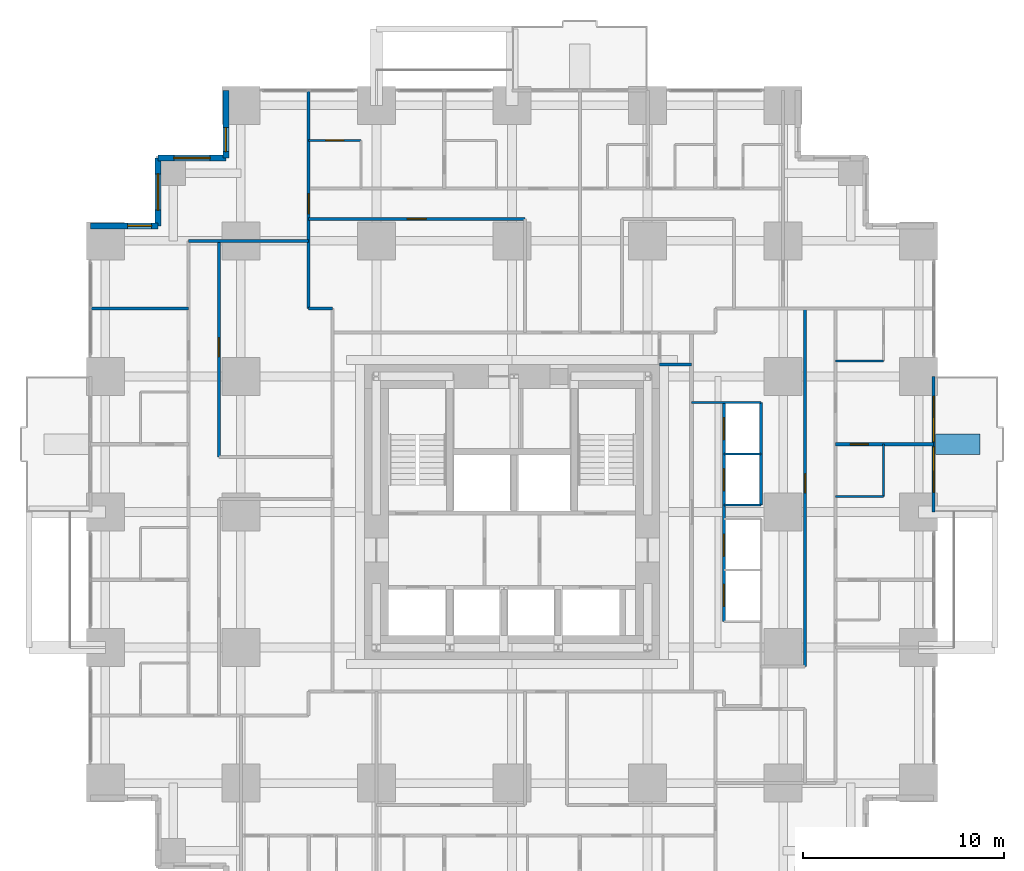
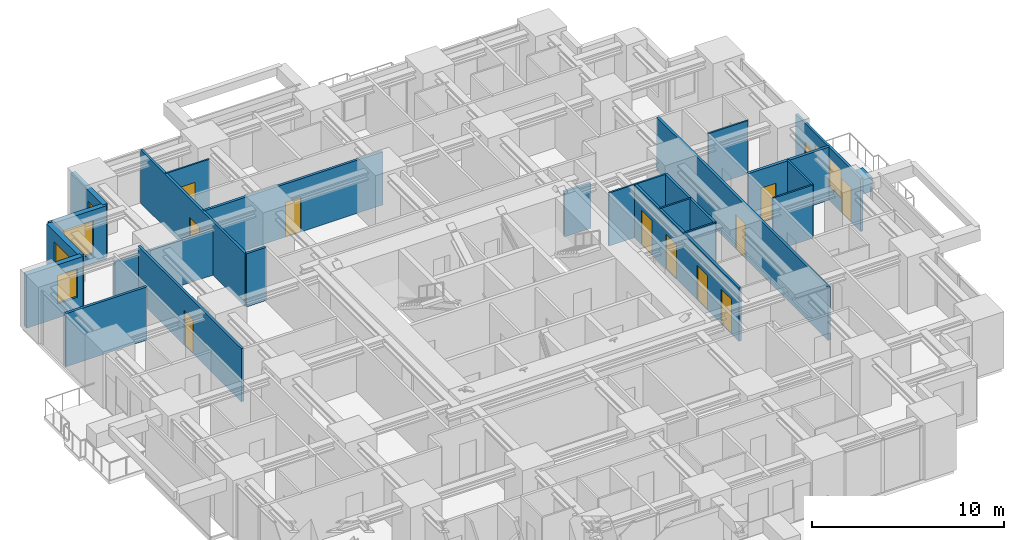
# One storey, part 11 of 14: 24 walls, 12 doors, 6 windows, 18 openings.
"""IFC4 building model written with IfcOpenShell, lengths in metres."""

from ifc_helpers import new_model, si_unit, direction, frame, frame_2d, origin, place, context, subcontext, project, spatial, rectangle, extrude, material, layer, layer_set, type_object, element, fill, save


model = new_model("IFC4")

# Units and contexts
model_context = context("Model", 3, precision=1e-05, world=origin(), true_north=direction((0.0, 1.0)))
body_context = subcontext(model_context, "Body", "Model", "MODEL_VIEW")
ifc_project = project(units=[si_unit("LENGTHUNIT", "METRE"), si_unit("AREAUNIT", "SQUARE_METRE"), si_unit("VOLUMEUNIT", "CUBIC_METRE"), si_unit("PLANEANGLEUNIT", "RADIAN"), si_unit("MASSUNIT", "GRAM", prefix="KILO")], contexts=[model_context])

# Site, building, storey
site_placement = place(None, origin())
site = spatial("IfcSite", under=ifc_project, at=site_placement, CompositionType="ELEMENT")
building_placement = place(site_placement, origin())
building = spatial("IfcBuilding", under=site, at=building_placement, Name="Nyansa Garden Tower", CompositionType="ELEMENT")
storey_placement = place(building_placement, frame((0.0, 0.0, 28.800048828125)))
storey = spatial("IfcBuildingStorey", under=building, at=storey_placement, Name="L07", CompositionType="ELEMENT", Elevation=28.800048828125)

# Wall, opening, door
ifc_material_1 = material(Name="Dense blockwork, plastered both sides, 55 dB", Category="masonry")
ifc_layer_1 = layer(ifc_material_1, 0.175048828125)
ifc_layer_set_1 = layer_set([ifc_layer_1], Name="Acoustic party wall PW175")
wall_type_1 = type_object("IfcWallType", Name="Acoustic party wall PW175", PredefinedType="PARTITIONING", material=ifc_layer_set_1)
wall_1_placement = place(storey_placement, frame((36.35009765625, 23.625, 0.0), z_axis=(0.0, 0.0, 1.0), x_axis=(1.0, 0.0, 0.0)))
wall_1 = element("IfcWall", 1, at=wall_1_placement, inside=storey, type_object=wall_type_1, Name="Party wall", PredefinedType="PARTITIONING", context=body_context, shape_type="SweptSolid", body=[
    extrude(rectangle(XDim=4.8837890625, YDim=0.175048828125, at=frame_2d((2.44189453125, 0.0))), origin(), (0.0, 0.0, 1.0), 3.375),
])
opening_1_placement = place(wall_1_placement, frame((0.75, 0.0, 0.0)))
opening_1 = element("IfcOpeningElement", 2, at=opening_1_placement, cuts=wall_1, Name="Opening D02", PredefinedType="OPENING", context=body_context, shape_type="SweptSolid", body=[
    extrude(rectangle(XDim=0.89990234375, YDim=2.199951171875, at=frame_2d((0.449951171875, 1.10009765625))), frame((0.0, 0.097412109375, 0.0), z_axis=(0.0, -1.0, 0.0), x_axis=(1.0, 0.0, 0.0)), (0.0, 0.0, 1.0), 0.195068359375),
])
ifc_material_2 = material(Name="Timber flush door", Category="wood")
door_type_1 = type_object("IfcDoorType", Name="En-suite door D02 900x2200", OperationType="SINGLE_SWING_RIGHT", PredefinedType="DOOR", material=ifc_material_2)
door_1_placement = place(opening_1_placement, origin())
door_1 = element("IfcDoor", 3, at=door_1_placement, inside=storey, type_object=door_type_1, Name="Door L07-036", OperationType="SINGLE_SWING_RIGHT", OverallHeight=2.199951171875, OverallWidth=0.89990234375, PredefinedType="DOOR", context=body_context, shape_type="SweptSolid", body=[
    extrude(rectangle(XDim=0.89990234375, YDim=2.199951171875, at=frame_2d((0.449951171875, 1.10009765625))), frame((0.0, 0.02490234375, 0.0), z_axis=(0.0, -1.0, 0.0), x_axis=(1.0, 0.0, 0.0)), (0.0, 0.0, 1.0), 0.050048828125),
])
fill(opening_1, door_1)

# Wall, openings, doors, windows
ifc_material_3 = material(Name="Black aluminium framed glazed screen", Category="aluminium")
ifc_layer_2 = layer(ifc_material_3, 0.14990234375)
ifc_layer_set_2 = layer_set([ifc_layer_2], Name="Balcony screen wall BW150")
wall_type_2 = type_object("IfcWallType", Name="Balcony screen wall BW150", PredefinedType="SOLIDWALL", material=ifc_layer_set_2)
wall_2_placement = place(storey_placement, frame((41.25, 27.0, 0.0), z_axis=(0.0, 0.0, 1.0), x_axis=(0.0, -1.0, 0.0)))
wall_2 = element("IfcWall", 4, at=wall_2_placement, inside=storey, type_object=wall_type_2, Name="Glazed screen wall L07 E", PredefinedType="SOLIDWALL", context=body_context, shape_type="SweptSolid", body=[
    extrude(rectangle(XDim=6.75, YDim=0.14990234375, at=frame_2d((3.375, 0.0))), origin(), (0.0, 0.0, 1.0), 3.375),
])
opening_2_placement = place(wall_2_placement, frame((0.995849609375, 0.0, 0.0)))
opening_2 = element("IfcOpeningElement", 5, at=opening_2_placement, cuts=wall_2, Name="Opening D20", PredefinedType="OPENING", context=body_context, shape_type="SweptSolid", body=[
    extrude(rectangle(XDim=1.0, YDim=2.199951171875, at=frame_2d((0.5, 1.10009765625))), frame((0.0, 0.0849609375, 0.0), z_axis=(0.0, -1.0, 0.0), x_axis=(1.0, 0.0, 0.0)), (0.0, 0.0, 1.0), 0.169921875),
])
opening_3_placement = place(wall_2_placement, frame((2.041748046875, 0.0, 0.89990234375)))
opening_3 = element("IfcOpeningElement", 6, at=opening_3_placement, cuts=wall_2, Name="Opening W6", PredefinedType="OPENING", context=body_context, shape_type="SweptSolid", body=[
    extrude(rectangle(XDim=1.199951171875, YDim=1.800048828125, at=frame_2d((0.60009765625, 0.89990234375))), frame((0.0, 0.0849609375, 0.0), z_axis=(0.0, -1.0, 0.0), x_axis=(1.0, 0.0, 0.0)), (0.0, 0.0, 1.0), 0.169921875),
])
opening_4_placement = place(wall_2_placement, frame((4.754150390625, 0.0, 0.0)))
opening_4 = element("IfcOpeningElement", 7, at=opening_4_placement, cuts=wall_2, Name="Opening D20", PredefinedType="OPENING", context=body_context, shape_type="SweptSolid", body=[
    extrude(rectangle(XDim=1.0, YDim=2.199951171875, at=frame_2d((0.5, 1.10009765625))), frame((0.0, 0.0849609375, 0.0), z_axis=(0.0, -1.0, 0.0), x_axis=(1.0, 0.0, 0.0)), (0.0, 0.0, 1.0), 0.169921875),
])
opening_5_placement = place(wall_2_placement, frame((3.50830078125, 0.0, 0.89990234375)))
opening_5 = element("IfcOpeningElement", 8, at=opening_5_placement, cuts=wall_2, Name="Opening W6", PredefinedType="OPENING", context=body_context, shape_type="SweptSolid", body=[
    extrude(rectangle(XDim=1.199951171875, YDim=1.800048828125, at=frame_2d((0.60009765625, 0.89990234375))), frame((0.0, 0.0849609375, 0.0), z_axis=(0.0, -1.0, 0.0), x_axis=(1.0, 0.0, 0.0)), (0.0, 0.0, 1.0), 0.169921875),
])
ifc_material_4 = material(Name="Black aluminium framed glazed door", Category="aluminium")
door_type_2 = type_object("IfcDoorType", Name="Balcony door D20 1000x2200", OperationType="NOTDEFINED", PredefinedType="DOOR", material=ifc_material_4)
door_2_placement = place(opening_2_placement, origin())
door_2 = element("IfcDoor", 9, at=door_2_placement, inside=storey, type_object=door_type_2, Name="Balcony door L07", OperationType="SINGLE_SWING_LEFT", OverallHeight=2.199951171875, OverallWidth=1.0, PredefinedType="DOOR", context=body_context, shape_type="SweptSolid", body=[
    extrude(rectangle(XDim=1.0, YDim=2.199951171875, at=frame_2d((0.5, 1.10009765625))), frame((0.0, 0.02490234375, 0.0), z_axis=(0.0, -1.0, 0.0), x_axis=(1.0, 0.0, 0.0)), (0.0, 0.0, 1.0), 0.050048828125),
])
fill(opening_2, door_2)
door_3_placement = place(opening_4_placement, origin())
door_3 = element("IfcDoor", 10, at=door_3_placement, inside=storey, type_object=door_type_2, Name="Balcony door L07", OperationType="SINGLE_SWING_RIGHT", OverallHeight=2.199951171875, OverallWidth=1.0, PredefinedType="DOOR", context=body_context, shape_type="SweptSolid", body=[
    extrude(rectangle(XDim=1.0, YDim=2.199951171875, at=frame_2d((0.5, 1.10009765625))), frame((0.0, 0.02490234375, 0.0), z_axis=(0.0, -1.0, 0.0), x_axis=(1.0, 0.0, 0.0)), (0.0, 0.0, 1.0), 0.050048828125),
])
fill(opening_4, door_3)
ifc_material_5 = material(Name="Black aluminium frame, dark tinted double glazing", Category="aluminium")
window_type_1 = type_object("IfcWindowType", Name="Balcony window W6 1200x1800", PartitioningType="SINGLE_PANEL", PredefinedType="WINDOW", material=ifc_material_5)
window_1_placement = place(opening_3_placement, origin())
window_1 = element("IfcWindow", 11, at=window_1_placement, inside=storey, type_object=window_type_1, Name="Window L07", OverallHeight=1.800048828125, OverallWidth=1.199951171875, PartitioningType="SINGLE_PANEL", PredefinedType="WINDOW", context=body_context, shape_type="SweptSolid", body=[
    extrude(rectangle(XDim=1.199951171875, YDim=1.800048828125, at=frame_2d((0.60009765625, 0.89990234375))), frame((0.0, 0.030029296875, 0.0), z_axis=(0.0, -1.0, 0.0), x_axis=(1.0, 0.0, 0.0)), (0.0, 0.0, 1.0), 0.06005859375),
])
fill(opening_3, window_1)
window_2_placement = place(opening_5_placement, origin())
window_2 = element("IfcWindow", 12, at=window_2_placement, inside=storey, type_object=window_type_1, Name="Window L07", OverallHeight=1.800048828125, OverallWidth=1.199951171875, PartitioningType="SINGLE_PANEL", PredefinedType="WINDOW", context=body_context, shape_type="SweptSolid", body=[
    extrude(rectangle(XDim=1.199951171875, YDim=1.800048828125, at=frame_2d((0.60009765625, 0.89990234375))), frame((0.0, 0.030029296875, 0.0), z_axis=(0.0, -1.0, 0.0), x_axis=(1.0, 0.0, 0.0)), (0.0, 0.0, 1.0), 0.06005859375),
])
fill(opening_5, window_2)

# Walls
ifc_material_6 = material(Name="Steel-stud shaft wall, two layers fire-rated board, EI 120", Category="steel")
ifc_layer_3 = layer(ifc_material_6, 0.10009765625)
ifc_layer_set_3 = layer_set([ifc_layer_3], Name="Lift shaft wall SW100")
wall_type_3 = type_object("IfcWallType", Name="Lift shaft wall SW100", PredefinedType="SHEAR", material=ifc_layer_set_3)
wall_3_placement = place(storey_placement, frame((29.199951171875, 25.699951171875, 0.0), z_axis=(0.0, 0.0, 1.0), x_axis=(1.0, 0.0, 0.0)))
element("IfcWall", 13, at=wall_3_placement, inside=storey, type_object=wall_type_3, Name="Lift shaft wall", PredefinedType="SHEAR", context=body_context, shape_type="SweptSolid", body=[
    extrude(rectangle(XDim=3.449951171875, YDim=0.10009765625, at=frame_2d((1.72509765625, 0.0))), origin(), (0.0, 0.0, 1.0), 3.375),
])
for number, where, z_axis, x_axis, name in (
    (14, (30.800048828125, 20.60009765625, 0.0), (0.0, 0.0, 1.0), (1.0, 0.0, 0.0), "Lift shaft wall"),
    (15, (30.800048828125, 23.14990234375, 0.0), (0.0, 0.0, 1.0), (1.0, 0.0, 0.0), "Lift shaft wall"),
):
    element("IfcWall", number, at=place(storey_placement, frame(where, z_axis=z_axis, x_axis=x_axis)), inside=storey, type_object=wall_type_3, Name=name, PredefinedType="SHEAR", context=body_context, shape_type="SweptSolid", body=[
        extrude(rectangle(XDim=1.849853515625, YDim=0.10009765625, at=frame_2d((0.9248046875, 0.0))), origin(), (0.0, 0.0, 1.0), 3.375),
    ])
ifc_material_7 = material(Name="Blockwork, plastered both sides", Category="masonry")
ifc_layer_4 = layer(ifc_material_7, 0.14990234375)
ifc_layer_set_4 = layer_set([ifc_layer_4], Name="Partition PW150")
wall_type_4 = type_object("IfcWallType", Name="Partition PW150", PredefinedType="PARTITIONING", material=ifc_layer_set_4)
wall_4_placement = place(storey_placement, frame((-0.73388671875, 30.375, 0.0), z_axis=(0.0, 0.0, 1.0), x_axis=(1.0, 0.0, 0.0)))
element("IfcWall", 16, at=wall_4_placement, inside=storey, type_object=wall_type_4, Name="Partition", PredefinedType="PARTITIONING", context=body_context, shape_type="SweptSolid", body=[
    extrude(rectangle(XDim=4.8837890625, YDim=0.14990234375, at=frame_2d((2.44189453125, 0.0))), origin(), (0.0, 0.0, 1.0), 3.375),
])
wall_5_placement = place(storey_placement, frame((4.14990234375, 33.75, 0.0), z_axis=(0.0, 0.0, 1.0), x_axis=(1.0, 0.0, 0.0)))
element("IfcWall", 17, at=wall_5_placement, inside=storey, type_object=wall_type_4, Name="Partition", PredefinedType="PARTITIONING", context=body_context, shape_type="SweptSolid", body=[
    extrude(rectangle(XDim=5.97509765625, YDim=0.14990234375, at=frame_2d((2.987548828125, 0.0))), origin(), (0.0, 0.0, 1.0), 2.876953125),
])

# Wall, opening, door
wall_6_placement = place(storey_placement, frame((5.64990234375, 22.987548828125, 0.0), z_axis=(0.0, 0.0, 1.0), x_axis=(0.0, 1.0, 0.0)))
wall_6 = element("IfcWall", 18, at=wall_6_placement, inside=storey, type_object=wall_type_4, Name="Partition", PredefinedType="PARTITIONING", context=body_context, shape_type="SweptSolid", body=[
    extrude(rectangle(XDim=10.762451171875, YDim=0.14990234375, at=frame_2d((5.38134765625, 0.0))), origin(), (0.0, 0.0, 1.0), 3.375),
])
opening_6_placement = place(wall_6_placement, frame((5.0, 0.0, 0.0)))
opening_6 = element("IfcOpeningElement", 19, at=opening_6_placement, cuts=wall_6, Name="Opening D01", PredefinedType="OPENING", context=body_context, shape_type="SweptSolid", body=[
    extrude(rectangle(XDim=0.949951171875, YDim=2.199951171875, at=frame_2d((0.47509765625, 1.10009765625))), frame((0.0, 0.0849609375, 0.0), z_axis=(0.0, -1.0, 0.0), x_axis=(1.0, 0.0, 0.0)), (0.0, 0.0, 1.0), 0.169921875),
])
ifc_material_8 = material(Name="Timber flush door, 30 minute fire resisting", Category="wood")
door_type_3 = type_object("IfcDoorType", Name="Bedroom door D01 950x2200", OperationType="SINGLE_SWING_LEFT", PredefinedType="DOOR", material=ifc_material_8)
door_4_placement = place(opening_6_placement, origin())
door_4 = element("IfcDoor", 20, at=door_4_placement, inside=storey, type_object=door_type_3, Name="Door L07-066", OperationType="SINGLE_SWING_LEFT", OverallHeight=2.199951171875, OverallWidth=0.949951171875, PredefinedType="DOOR", context=body_context, shape_type="SweptSolid", body=[
    extrude(rectangle(XDim=0.949951171875, YDim=2.199951171875, at=frame_2d((0.47509765625, 1.10009765625))), frame((0.0, 0.02490234375, 0.0), z_axis=(0.0, -1.0, 0.0), x_axis=(1.0, 0.0, 0.0)), (0.0, 0.0, 1.0), 0.050048828125),
])
fill(opening_6, door_4)

wall_7_placement = place(storey_placement, frame((10.125, 30.375, 0.0), z_axis=(0.0, 0.0, 1.0), x_axis=(0.0, 1.0, 0.0)))
wall_7 = element("IfcWall", 21, at=wall_7_placement, inside=storey, type_object=wall_type_4, Name="Partition", PredefinedType="PARTITIONING", context=body_context, shape_type="SweptSolid", body=[
    extrude(rectangle(XDim=10.85888671875, YDim=0.14990234375, at=frame_2d((5.429443359375, 0.0))), origin(), (0.0, 0.0, 1.0), 3.375),
])
opening_7_placement = place(wall_7_placement, frame((4.72509765625, 0.0, 0.0)))
opening_7 = element("IfcOpeningElement", 22, at=opening_7_placement, cuts=wall_7, Name="Opening D03", PredefinedType="OPENING", context=body_context, shape_type="SweptSolid", body=[
    extrude(rectangle(XDim=1.0, YDim=2.199951171875, at=frame_2d((0.5, 1.10009765625))), frame((0.0, 0.0849609375, 0.0), z_axis=(0.0, -1.0, 0.0), x_axis=(1.0, 0.0, 0.0)), (0.0, 0.0, 1.0), 0.169921875),
])
ifc_material_9 = material(Name="Timber flush door, 60 minute fire resisting", Category="wood")
door_type_4 = type_object("IfcDoorType", Name="Cluster entrance door D03 1000x2200", OperationType="SINGLE_SWING_LEFT", PredefinedType="DOOR", material=ifc_material_9)
door_5_placement = place(opening_7_placement, origin())
door_5 = element("IfcDoor", 23, at=door_5_placement, inside=storey, type_object=door_type_4, Name="Door L07-057", OperationType="SINGLE_SWING_LEFT", OverallHeight=2.199951171875, OverallWidth=1.0, PredefinedType="DOOR", context=body_context, shape_type="SweptSolid", body=[
    extrude(rectangle(XDim=1.0, YDim=2.199951171875, at=frame_2d((0.5, 1.10009765625))), frame((0.0, 0.02490234375, 0.0), z_axis=(0.0, -1.0, 0.0), x_axis=(1.0, 0.0, 0.0)), (0.0, 0.0, 1.0), 0.050048828125),
])
fill(opening_7, door_5)

# Wall
wall_8_placement = place(storey_placement, frame((10.125, 30.375, 0.0), z_axis=(0.0, 0.0, 1.0), x_axis=(1.0, 0.0, 0.0)))
element("IfcWall", 24, at=wall_8_placement, inside=storey, type_object=wall_type_4, Name="Partition", PredefinedType="PARTITIONING", context=body_context, shape_type="SweptSolid", body=[
    extrude(rectangle(XDim=1.175048828125, YDim=0.14990234375, at=frame_2d((0.58740234375, 0.0))), origin(), (0.0, 0.0, 1.0), 3.375),
])

# Wall, opening, door
wall_9_placement = place(storey_placement, frame((10.125, 34.85009765625, 0.0), z_axis=(0.0, 0.0, 1.0), x_axis=(1.0, 0.0, 0.0)))
wall_9 = element("IfcWall", 25, at=wall_9_placement, inside=storey, type_object=wall_type_4, Name="Partition", PredefinedType="PARTITIONING", context=body_context, shape_type="SweptSolid", body=[
    extrude(rectangle(XDim=10.762451171875, YDim=0.14990234375, at=frame_2d((5.38134765625, 0.0))), origin(), (0.0, 0.0, 1.0), 3.375),
])
opening_8_placement = place(wall_9_placement, frame((4.89990234375, 0.0, 0.0)))
opening_8 = element("IfcOpeningElement", 26, at=opening_8_placement, cuts=wall_9, Name="Opening D01", PredefinedType="OPENING", context=body_context, shape_type="SweptSolid", body=[
    extrude(rectangle(XDim=0.949951171875, YDim=2.199951171875, at=frame_2d((0.47509765625, 1.10009765625))), frame((0.0, 0.0849609375, 0.0), z_axis=(0.0, -1.0, 0.0), x_axis=(1.0, 0.0, 0.0)), (0.0, 0.0, 1.0), 0.169921875),
])
door_6_placement = place(opening_8_placement, origin())
door_6 = element("IfcDoor", 27, at=door_6_placement, inside=storey, type_object=door_type_3, Name="Door L07-056", OperationType="SINGLE_SWING_LEFT", OverallHeight=2.199951171875, OverallWidth=0.949951171875, PredefinedType="DOOR", context=body_context, shape_type="SweptSolid", body=[
    extrude(rectangle(XDim=0.949951171875, YDim=2.199951171875, at=frame_2d((0.47509765625, 1.10009765625))), frame((0.0, 0.02490234375, 0.0), z_axis=(0.0, -1.0, 0.0), x_axis=(1.0, 0.0, 0.0)), (0.0, 0.0, 1.0), 0.050048828125),
])
fill(opening_8, door_6)

# Wall
wall_10_placement = place(storey_placement, frame((27.60009765625, 27.60009765625, 0.0), z_axis=(0.0, 0.0, 1.0), x_axis=(1.0, 0.0, 0.0)))
element("IfcWall", 28, at=wall_10_placement, inside=storey, type_object=wall_type_4, Name="Partition", PredefinedType="PARTITIONING", context=body_context, shape_type="SweptSolid", body=[
    extrude(rectangle(XDim=1.599853515625, YDim=0.14990234375, at=frame_2d((0.7998046875, 0.0))), origin(), (0.0, 0.0, 1.0), 2.876953125),
])

# Wall, openings, doors
wall_11_placement = place(storey_placement, frame((30.800048828125, 14.800048828125, 0.0), z_axis=(0.0, 0.0, 1.0), x_axis=(0.0, 1.0, 0.0)))
wall_11 = element("IfcWall", 29, at=wall_11_placement, inside=storey, type_object=wall_type_4, Name="Partition", PredefinedType="PARTITIONING", context=body_context, shape_type="SweptSolid", body=[
    extrude(rectangle(XDim=10.89990234375, YDim=0.14990234375, at=frame_2d((5.449951171875, 0.0))), origin(), (0.0, 0.0, 1.0), 3.375),
])
opening_9_placement = place(wall_11_placement, frame((0.75, 0.0, 0.0)))
opening_9 = element("IfcOpeningElement", 30, at=opening_9_placement, cuts=wall_11, Name="Opening LD-A", PredefinedType="OPENING", context=body_context, shape_type="SweptSolid", body=[
    extrude(rectangle(XDim=1.10009765625, YDim=2.199951171875, at=frame_2d((0.550048828125, 1.10009765625))), frame((0.0, 0.0849609375, 0.0), z_axis=(0.0, -1.0, 0.0), x_axis=(1.0, 0.0, 0.0)), (0.0, 0.0, 1.0), 0.169921875),
])
opening_10_placement = place(wall_11_placement, frame((3.25, 0.0, 0.0)))
opening_10 = element("IfcOpeningElement", 31, at=opening_10_placement, cuts=wall_11, Name="Opening LD-A", PredefinedType="OPENING", context=body_context, shape_type="SweptSolid", body=[
    extrude(rectangle(XDim=1.10009765625, YDim=2.199951171875, at=frame_2d((0.550048828125, 1.10009765625))), frame((0.0, 0.0849609375, 0.0), z_axis=(0.0, -1.0, 0.0), x_axis=(1.0, 0.0, 0.0)), (0.0, 0.0, 1.0), 0.169921875),
])
opening_11_placement = place(wall_11_placement, frame((6.5, 0.0, 0.0)))
opening_11 = element("IfcOpeningElement", 32, at=opening_11_placement, cuts=wall_11, Name="Opening LD-A", PredefinedType="OPENING", context=body_context, shape_type="SweptSolid", body=[
    extrude(rectangle(XDim=1.10009765625, YDim=2.199951171875, at=frame_2d((0.550048828125, 1.10009765625))), frame((0.0, 0.0849609375, 0.0), z_axis=(0.0, -1.0, 0.0), x_axis=(1.0, 0.0, 0.0)), (0.0, 0.0, 1.0), 0.169921875),
])
opening_12_placement = place(wall_11_placement, frame((9.050048828125, 0.0, 0.0)))
opening_12 = element("IfcOpeningElement", 33, at=opening_12_placement, cuts=wall_11, Name="Opening LD-A", PredefinedType="OPENING", context=body_context, shape_type="SweptSolid", body=[
    extrude(rectangle(XDim=1.10009765625, YDim=2.199951171875, at=frame_2d((0.550048828125, 1.10009765625))), frame((0.0, 0.0849609375, 0.0), z_axis=(0.0, -1.0, 0.0), x_axis=(1.0, 0.0, 0.0)), (0.0, 0.0, 1.0), 0.169921875),
])
ifc_material_10 = material(Name="Stainless steel centre-opening landing door of the low-rise lift, E 120", Category="steel")
door_type_5 = type_object("IfcDoorType", Name="Lift landing door LD-A 1100x2200", OperationType="DOUBLE_DOOR_SLIDING", PredefinedType="DOOR", material=ifc_material_10)
door_7_placement = place(opening_9_placement, origin())
door_7 = element("IfcDoor", 34, at=door_7_placement, inside=storey, type_object=door_type_5, Name="Landing door A1", OperationType="DOUBLE_DOOR_SLIDING", OverallHeight=2.199951171875, OverallWidth=1.10009765625, PredefinedType="DOOR", context=body_context, shape_type="SweptSolid", body=[
    extrude(rectangle(XDim=1.10009765625, YDim=2.199951171875, at=frame_2d((0.550048828125, 1.10009765625))), frame((0.0, 0.02490234375, 0.0), z_axis=(0.0, -1.0, 0.0), x_axis=(1.0, 0.0, 0.0)), (0.0, 0.0, 1.0), 0.050048828125),
])
fill(opening_9, door_7)
door_8_placement = place(opening_10_placement, origin())
door_8 = element("IfcDoor", 35, at=door_8_placement, inside=storey, type_object=door_type_5, Name="Landing door A2", OperationType="DOUBLE_DOOR_SLIDING", OverallHeight=2.199951171875, OverallWidth=1.10009765625, PredefinedType="DOOR", context=body_context, shape_type="SweptSolid", body=[
    extrude(rectangle(XDim=1.10009765625, YDim=2.199951171875, at=frame_2d((0.550048828125, 1.10009765625))), frame((0.0, 0.02490234375, 0.0), z_axis=(0.0, -1.0, 0.0), x_axis=(1.0, 0.0, 0.0)), (0.0, 0.0, 1.0), 0.050048828125),
])
fill(opening_10, door_8)
door_9_placement = place(opening_11_placement, origin())
door_9 = element("IfcDoor", 36, at=door_9_placement, inside=storey, type_object=door_type_5, Name="Landing door A3", OperationType="DOUBLE_DOOR_SLIDING", OverallHeight=2.199951171875, OverallWidth=1.10009765625, PredefinedType="DOOR", context=body_context, shape_type="SweptSolid", body=[
    extrude(rectangle(XDim=1.10009765625, YDim=2.199951171875, at=frame_2d((0.550048828125, 1.10009765625))), frame((0.0, 0.02490234375, 0.0), z_axis=(0.0, -1.0, 0.0), x_axis=(1.0, 0.0, 0.0)), (0.0, 0.0, 1.0), 0.050048828125),
])
fill(opening_11, door_9)
door_10_placement = place(opening_12_placement, origin())
door_10 = element("IfcDoor", 37, at=door_10_placement, inside=storey, type_object=door_type_5, Name="Landing door A4", OperationType="DOUBLE_DOOR_SLIDING", OverallHeight=2.199951171875, OverallWidth=1.10009765625, PredefinedType="DOOR", context=body_context, shape_type="SweptSolid", body=[
    extrude(rectangle(XDim=1.10009765625, YDim=2.199951171875, at=frame_2d((0.550048828125, 1.10009765625))), frame((0.0, 0.02490234375, 0.0), z_axis=(0.0, -1.0, 0.0), x_axis=(1.0, 0.0, 0.0)), (0.0, 0.0, 1.0), 0.050048828125),
])
fill(opening_12, door_10)

# Wall
wall_12_placement = place(storey_placement, frame((32.64990234375, 20.60009765625, 0.0), z_axis=(0.0, 0.0, 1.0), x_axis=(0.0, 1.0, 0.0)))
element("IfcWall", 38, at=wall_12_placement, inside=storey, type_object=wall_type_4, Name="Partition", PredefinedType="PARTITIONING", context=body_context, shape_type="SweptSolid", body=[
    extrude(rectangle(XDim=5.099853515625, YDim=0.14990234375, at=frame_2d((2.5498046875, 0.0))), origin(), (0.0, 0.0, 1.0), 3.375),
])

# Wall, opening, door
wall_13_placement = place(storey_placement, frame((34.85009765625, 12.550048828125, 0.0), z_axis=(0.0, 0.0, 1.0), x_axis=(0.0, 1.0, 0.0)))
wall_13 = element("IfcWall", 39, at=wall_13_placement, inside=storey, type_object=wall_type_4, Name="Partition", PredefinedType="PARTITIONING", context=body_context, shape_type="SweptSolid", body=[
    extrude(rectangle(XDim=17.824951171875, YDim=0.14990234375, at=frame_2d((8.91259765625, 0.0))), origin(), (0.0, 0.0, 1.0), 3.375),
])
opening_13_placement = place(wall_13_placement, frame((8.64990234375, 0.0, 0.0)))
opening_13 = element("IfcOpeningElement", 40, at=opening_13_placement, cuts=wall_13, Name="Opening D01", PredefinedType="OPENING", context=body_context, shape_type="SweptSolid", body=[
    extrude(rectangle(XDim=0.949951171875, YDim=2.199951171875, at=frame_2d((0.47509765625, 1.10009765625))), frame((0.0, 0.0849609375, 0.0), z_axis=(0.0, -1.0, 0.0), x_axis=(1.0, 0.0, 0.0)), (0.0, 0.0, 1.0), 0.169921875),
])
door_11_placement = place(opening_13_placement, origin())
door_11 = element("IfcDoor", 41, at=door_11_placement, inside=storey, type_object=door_type_3, Name="Door L07-040", OperationType="SINGLE_SWING_LEFT", OverallHeight=2.199951171875, OverallWidth=0.949951171875, PredefinedType="DOOR", context=body_context, shape_type="SweptSolid", body=[
    extrude(rectangle(XDim=0.949951171875, YDim=2.199951171875, at=frame_2d((0.47509765625, 1.10009765625))), frame((0.0, 0.02490234375, 0.0), z_axis=(0.0, -1.0, 0.0), x_axis=(1.0, 0.0, 0.0)), (0.0, 0.0, 1.0), 0.050048828125),
])
fill(opening_13, door_11)

# Wall, opening, window
ifc_material_11 = material(Name="Turquoise glazed tile on concrete blockwork", Category="masonry")
ifc_layer_5 = layer(ifc_material_11, 0.300048828125)
ifc_layer_set_5 = layer_set([ifc_layer_5], Name="Tiled corner wall TW300")
wall_type_5 = type_object("IfcWallType", Name="Tiled corner wall TW300", PredefinedType="SOLIDWALL", material=ifc_layer_set_5)
wall_14_placement = place(storey_placement, frame((6.0, 41.25, 0.0), z_axis=(0.0, 0.0, 1.0), x_axis=(0.0, -1.0, 0.0)))
wall_14 = element("IfcWall", 42, at=wall_14_placement, inside=storey, type_object=wall_type_5, Name="Tiled corner wall L07", PredefinedType="SOLIDWALL", context=body_context, shape_type="SweptSolid", body=[
    extrude(rectangle(XDim=3.375, YDim=0.300048828125, at=frame_2d((1.6875, 0.0))), origin(), (0.0, 0.0, 1.0), 3.375),
])
opening_14_placement = place(wall_14_placement, frame((1.857421875, 0.0, 0.89990234375)))
opening_14 = element("IfcOpeningElement", 43, at=opening_14_placement, cuts=wall_14, Name="Opening W4", PredefinedType="OPENING", context=body_context, shape_type="SweptSolid", body=[
    extrude(rectangle(XDim=1.199951171875, YDim=1.800048828125, at=frame_2d((0.60009765625, 0.89990234375))), frame((0.0, 0.159912109375, 0.0), z_axis=(0.0, -1.0, 0.0), x_axis=(1.0, 0.0, 0.0)), (0.0, 0.0, 1.0), 0.320068359375),
])
ifc_material_12 = material(Name="Black aluminium frame, dark tinted double glazing", Category="aluminium")
window_type_2 = type_object("IfcWindowType", Name="Window W4 1200x1800", PartitioningType="SINGLE_PANEL", PredefinedType="WINDOW", material=ifc_material_12)
window_3_placement = place(opening_14_placement, origin())
window_3 = element("IfcWindow", 44, at=window_3_placement, inside=storey, type_object=window_type_2, Name="Corner window L07", OverallHeight=1.800048828125, OverallWidth=1.199951171875, PartitioningType="SINGLE_PANEL", PredefinedType="WINDOW", context=body_context, shape_type="SweptSolid", body=[
    extrude(rectangle(XDim=1.199951171875, YDim=1.800048828125, at=frame_2d((0.60009765625, 0.89990234375))), frame((0.0, 0.030029296875, 0.0), z_axis=(0.0, -1.0, 0.0), x_axis=(1.0, 0.0, 0.0)), (0.0, 0.0, 1.0), 0.06005859375),
])
fill(opening_14, window_3)

wall_15_placement = place(storey_placement, frame((6.0, 37.875, 0.0), z_axis=(0.0, 0.0, 1.0), x_axis=(-1.0, 0.0, 0.0)))
wall_15 = element("IfcWall", 45, at=wall_15_placement, inside=storey, type_object=wall_type_5, Name="Tiled corner wall L07", PredefinedType="SOLIDWALL", context=body_context, shape_type="SweptSolid", body=[
    extrude(rectangle(XDim=3.375, YDim=0.300048828125, at=frame_2d((1.6875, 0.0))), origin(), (0.0, 0.0, 1.0), 3.375),
])
opening_15_placement = place(wall_15_placement, frame((0.78759765625, 0.0, 0.60009765625)))
opening_15 = element("IfcOpeningElement", 46, at=opening_15_placement, cuts=wall_15, Name="Opening W2", PredefinedType="OPENING", context=body_context, shape_type="SweptSolid", body=[
    extrude(rectangle(XDim=1.800048828125, YDim=2.10009765625, at=frame_2d((0.89990234375, 1.050048828125))), frame((0.0, 0.159912109375, 0.0), z_axis=(0.0, -1.0, 0.0), x_axis=(1.0, 0.0, 0.0)), (0.0, 0.0, 1.0), 0.320068359375),
])
ifc_material_13 = material(Name="Black aluminium frame, dark tinted double glazing", Category="aluminium")
window_type_3 = type_object("IfcWindowType", Name="Window W2 1800x2100", PartitioningType="SINGLE_PANEL", PredefinedType="WINDOW", material=ifc_material_13)
window_4_placement = place(opening_15_placement, origin())
window_4 = element("IfcWindow", 47, at=window_4_placement, inside=storey, type_object=window_type_3, Name="Corner window L07", OverallHeight=2.10009765625, OverallWidth=1.800048828125, PartitioningType="SINGLE_PANEL", PredefinedType="WINDOW", context=body_context, shape_type="SweptSolid", body=[
    extrude(rectangle(XDim=1.800048828125, YDim=2.10009765625, at=frame_2d((0.89990234375, 1.050048828125))), frame((0.0, 0.030029296875, 0.0), z_axis=(0.0, -1.0, 0.0), x_axis=(1.0, 0.0, 0.0)), (0.0, 0.0, 1.0), 0.06005859375),
])
fill(opening_15, window_4)

wall_16_placement = place(storey_placement, frame((2.625, 37.875, 0.0), z_axis=(0.0, 0.0, 1.0), x_axis=(0.0, -1.0, 0.0)))
wall_16 = element("IfcWall", 48, at=wall_16_placement, inside=storey, type_object=wall_type_5, Name="Tiled corner wall L07", PredefinedType="SOLIDWALL", context=body_context, shape_type="SweptSolid", body=[
    extrude(rectangle(XDim=3.375, YDim=0.300048828125, at=frame_2d((1.6875, 0.0))), origin(), (0.0, 0.0, 1.0), 3.375),
])
opening_16_placement = place(wall_16_placement, frame((0.78759765625, 0.0, 0.60009765625)))
opening_16 = element("IfcOpeningElement", 49, at=opening_16_placement, cuts=wall_16, Name="Opening W2", PredefinedType="OPENING", context=body_context, shape_type="SweptSolid", body=[
    extrude(rectangle(XDim=1.800048828125, YDim=2.10009765625, at=frame_2d((0.89990234375, 1.050048828125))), frame((0.0, 0.159912109375, 0.0), z_axis=(0.0, -1.0, 0.0), x_axis=(1.0, 0.0, 0.0)), (0.0, 0.0, 1.0), 0.320068359375),
])
window_5_placement = place(opening_16_placement, origin())
window_5 = element("IfcWindow", 50, at=window_5_placement, inside=storey, type_object=window_type_3, Name="Corner window L07", OverallHeight=2.10009765625, OverallWidth=1.800048828125, PartitioningType="SINGLE_PANEL", PredefinedType="WINDOW", context=body_context, shape_type="SweptSolid", body=[
    extrude(rectangle(XDim=1.800048828125, YDim=2.10009765625, at=frame_2d((0.89990234375, 1.050048828125))), frame((0.0, 0.030029296875, 0.0), z_axis=(0.0, -1.0, 0.0), x_axis=(1.0, 0.0, 0.0)), (0.0, 0.0, 1.0), 0.06005859375),
])
fill(opening_16, window_5)

wall_17_placement = place(storey_placement, frame((2.625, 34.5, 0.0), z_axis=(0.0, 0.0, 1.0), x_axis=(-1.0, 0.0, 0.0)))
wall_17 = element("IfcWall", 51, at=wall_17_placement, inside=storey, type_object=wall_type_5, Name="Tiled corner wall L07", PredefinedType="SOLIDWALL", context=body_context, shape_type="SweptSolid", body=[
    extrude(rectangle(XDim=3.375, YDim=0.300048828125, at=frame_2d((1.6875, 0.0))), origin(), (0.0, 0.0, 1.0), 3.375),
])
opening_17_placement = place(wall_17_placement, frame((0.3173828125, 0.0, 0.89990234375)))
opening_17 = element("IfcOpeningElement", 52, at=opening_17_placement, cuts=wall_17, Name="Opening W4", PredefinedType="OPENING", context=body_context, shape_type="SweptSolid", body=[
    extrude(rectangle(XDim=1.199951171875, YDim=1.800048828125, at=frame_2d((0.60009765625, 0.89990234375))), frame((0.0, 0.159912109375, 0.0), z_axis=(0.0, -1.0, 0.0), x_axis=(1.0, 0.0, 0.0)), (0.0, 0.0, 1.0), 0.320068359375),
])
window_6_placement = place(opening_17_placement, origin())
window_6 = element("IfcWindow", 53, at=window_6_placement, inside=storey, type_object=window_type_2, Name="Corner window L07", OverallHeight=1.800048828125, OverallWidth=1.199951171875, PartitioningType="SINGLE_PANEL", PredefinedType="WINDOW", context=body_context, shape_type="SweptSolid", body=[
    extrude(rectangle(XDim=1.199951171875, YDim=1.800048828125, at=frame_2d((0.60009765625, 0.89990234375))), frame((0.0, 0.030029296875, 0.0), z_axis=(0.0, -1.0, 0.0), x_axis=(1.0, 0.0, 0.0)), (0.0, 0.0, 1.0), 0.06005859375),
])
fill(opening_17, window_6)

# Wall
ifc_material_14 = material(Name="Concrete C40/50 planter, waterproofed", Category="concrete")
ifc_layer_6 = layer(ifc_material_14, 1.0)
ifc_layer_set_6 = layer_set([ifc_layer_6], Name="Tree planter TP1")
wall_type_6 = type_object("IfcWallType", Name="Tree planter TP1", PredefinedType="USERDEFINED", material=ifc_layer_set_6)
wall_18_placement = place(storey_placement, frame((41.35009765625, 23.625, 0.0), z_axis=(0.0, 0.0, 1.0), x_axis=(1.0, 0.0, 0.0)))
element("IfcWall", 54, at=wall_18_placement, inside=storey, type_object=wall_type_6, Name="Tree planter L07", ObjectType="TREE PLANTER", PredefinedType="USERDEFINED", context=body_context, shape_type="SweptSolid", body=[
    extrude(rectangle(XDim=2.199951171875, YDim=1.0, at=frame_2d((1.10009765625, 0.0))), origin(), (0.0, 0.0, 1.0), 0.89990234375),
])

# Wall, opening, door
ifc_material_15 = material(Name="Moisture resistant board on steel studs, tiled", Category="steel")
ifc_layer_7 = layer(ifc_material_15, 0.10009765625)
ifc_layer_set_7 = layer_set([ifc_layer_7], Name="Wet wall PW100")
wall_type_7 = type_object("IfcWallType", Name="Wet wall PW100", PredefinedType="PARTITIONING", material=ifc_layer_set_7)
wall_19_placement = place(storey_placement, frame((10.125, 38.75, 0.0), z_axis=(0.0, 0.0, 1.0), x_axis=(1.0, 0.0, 0.0)))
wall_19 = element("IfcWall", 55, at=wall_19_placement, inside=storey, type_object=wall_type_7, Name="Wet wall", PredefinedType="PARTITIONING", context=body_context, shape_type="SweptSolid", body=[
    extrude(rectangle(XDim=2.60009765625, YDim=0.10009765625, at=frame_2d((1.300048828125, 0.0))), origin(), (0.0, 0.0, 1.0), 3.375),
])
opening_18_placement = place(wall_19_placement, frame((0.85009765625, 0.0, 0.0)))
opening_18 = element("IfcOpeningElement", 56, at=opening_18_placement, cuts=wall_19, Name="Opening D02", PredefinedType="OPENING", context=body_context, shape_type="SweptSolid", body=[
    extrude(rectangle(XDim=0.89990234375, YDim=2.199951171875, at=frame_2d((0.449951171875, 1.10009765625))), frame((0.0, 0.06005859375, 0.0), z_axis=(0.0, -1.0, 0.0), x_axis=(1.0, 0.0, 0.0)), (0.0, 0.0, 1.0), 0.1201171875),
])
door_12_placement = place(opening_18_placement, origin())
door_12 = element("IfcDoor", 57, at=door_12_placement, inside=storey, type_object=door_type_1, Name="Door L07-051", OperationType="SINGLE_SWING_RIGHT", OverallHeight=2.199951171875, OverallWidth=0.89990234375, PredefinedType="DOOR", context=body_context, shape_type="SweptSolid", body=[
    extrude(rectangle(XDim=0.89990234375, YDim=2.199951171875, at=frame_2d((0.449951171875, 1.10009765625))), frame((0.0, 0.02490234375, 0.0), z_axis=(0.0, -1.0, 0.0), x_axis=(1.0, 0.0, 0.0)), (0.0, 0.0, 1.0), 0.050048828125),
])
fill(opening_18, door_12)

# Walls
for number, where, z_axis, x_axis, name in (
    (58, (36.35009765625, 21.02490234375, 0.0), (0.0, 0.0, 1.0), (1.0, 0.0, 0.0), "Wet wall"),
    (59, (36.35009765625, 27.77490234375, 0.0), (0.0, 0.0, 1.0), (1.0, 0.0, 0.0), "Wet wall"),
):
    element("IfcWall", number, at=place(storey_placement, frame(where, z_axis=z_axis, x_axis=x_axis)), inside=storey, type_object=wall_type_7, Name=name, PredefinedType="PARTITIONING", context=body_context, shape_type="SweptSolid", body=[
        extrude(rectangle(XDim=2.39990234375, YDim=0.10009765625, at=frame_2d((1.199951171875, 0.0))), origin(), (0.0, 0.0, 1.0), 3.375),
    ])
wall_20_placement = place(storey_placement, frame((38.75, 21.02490234375, 0.0), z_axis=(0.0, 0.0, 1.0), x_axis=(0.0, 1.0, 0.0)))
element("IfcWall", 60, at=wall_20_placement, inside=storey, type_object=wall_type_7, Name="Wet wall", PredefinedType="PARTITIONING", context=body_context, shape_type="SweptSolid", body=[
    extrude(rectangle(XDim=2.60009765625, YDim=0.10009765625, at=frame_2d((1.300048828125, 0.0))), origin(), (0.0, 0.0, 1.0), 3.375),
])

save(model, "model.ifc")
